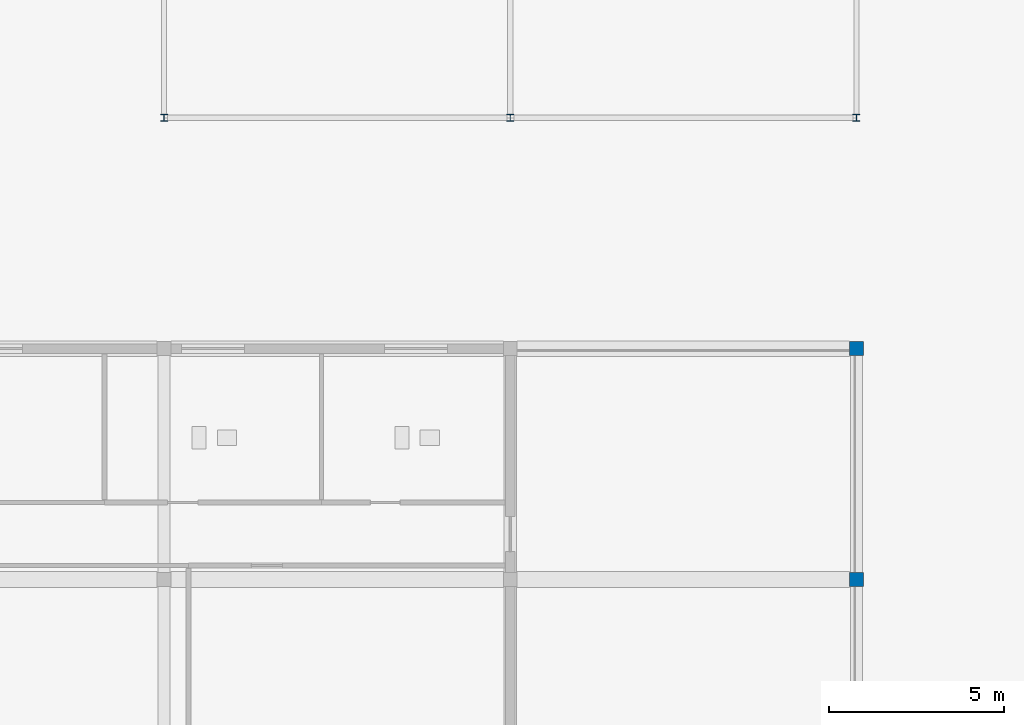
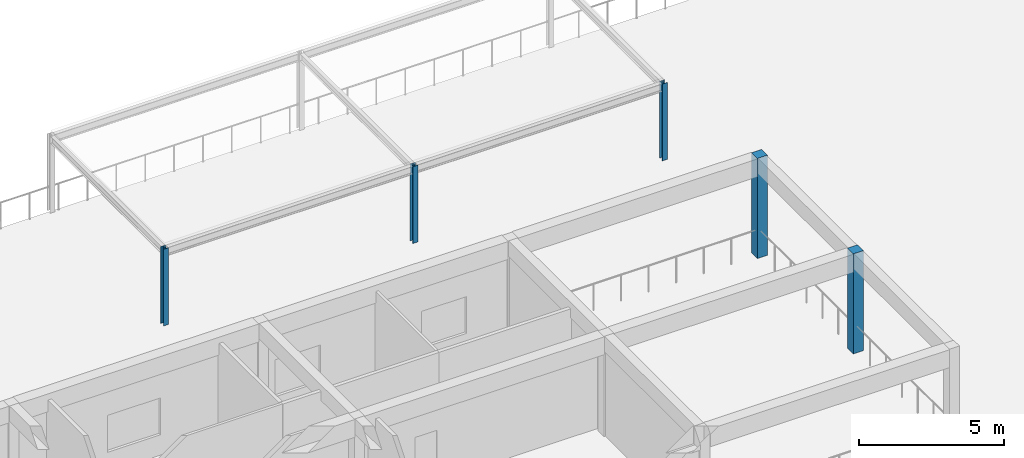
# One storey, part 7 of 92: 5 columns.
"""IFC4 building model written with IfcOpenShell, lengths in metres."""

from ifc_helpers import new_model, si_unit, direction, frame, origin, origin_2d, place, context, subcontext, project, spatial, rectangle, i_section, extrude, material, material_profile, profile_set, type_object, element, save


model = new_model("IFC4")

# Units and contexts
model_context = context("Model", 3, precision=1e-05, world=origin(), true_north=direction((0.0, 1.0)))
body_context = subcontext(model_context, "Body", "Model", "MODEL_VIEW")
ifc_project = project(units=[si_unit("LENGTHUNIT", "METRE"), si_unit("AREAUNIT", "SQUARE_METRE"), si_unit("VOLUMEUNIT", "CUBIC_METRE"), si_unit("PLANEANGLEUNIT", "RADIAN"), si_unit("MASSUNIT", "GRAM", prefix="KILO")], contexts=[model_context])

# Site, building, storey
site_placement = place(None, origin())
site = spatial("IfcSite", under=ifc_project, at=site_placement, CompositionType="ELEMENT")
building_placement = place(site_placement, origin())
building = spatial("IfcBuilding", under=site, at=building_placement, Name="Kernevlak Ridge Housing Community", CompositionType="ELEMENT")
storey_placement = place(building_placement, frame((0.0, 0.0, 4.199951171875)))
storey = spatial("IfcBuildingStorey", under=building, at=storey_placement, Name="L01", CompositionType="ELEMENT", Elevation=4.199951171875)

# Columns
ifc_material_1 = material(Name="Concrete C35/45", Category="concrete")
ifc_material_profile_1 = material_profile(ifc_material_1, rectangle(XDim=0.39990234375, YDim=0.39990234375, at=origin_2d()), Name="RC 400x400")
ifc_profile_set_1 = profile_set([ifc_material_profile_1], Name="Concrete C35/45")
column_type_1 = type_object("IfcColumnType", Name="C-05", PredefinedType="COLUMN", material=ifc_profile_set_1)
for number, where, z_axis, x_axis, name in (
    (1, (93.89990234375, 89.199951171875, 0.0), (0.0, 0.0, 1.0), (1.0, 0.0, 0.0), "Column C-05 COL-NUR-L01-172"),
    (2, (93.89990234375, 95.800048828125, 0.0), (0.0, 0.0, 1.0), (1.0, 0.0, 0.0), "Column C-05 COL-NUR-L01-173"),
):
    element("IfcColumn", number, at=place(storey_placement, frame(where, z_axis=z_axis, x_axis=x_axis)), inside=storey, type_object=column_type_1, Name=name, PredefinedType="COLUMN", context=body_context, shape_type="SweptSolid", body=[
        extrude(rectangle(XDim=0.39990234375, YDim=0.39990234375, at=origin_2d()), origin(), (0.0, 0.0, 1.0), 4.199951171875),
    ])
ifc_material_2 = material(Name="Steel S355", Category="steel")
ifc_material_profile_2 = material_profile(ifc_material_2, i_section(OverallWidth=0.199951171875, OverallDepth=0.199951171875, WebThickness=0.009033203125, FlangeThickness=0.014892578125, FilletRadius=0.01806640625, at=origin_2d()), Name="HEB 200")
ifc_profile_set_2 = profile_set([ifc_material_profile_2], Name="Steel S355")
column_type_2 = type_object("IfcColumnType", Name="SC-05", PredefinedType="COLUMN", material=ifc_profile_set_2)
for number, where, z_axis, x_axis, name in (
    (3, (74.10009765625, 102.39990234375, 0.0), (0.0, 0.0, 1.0), (1.0, 0.0, 0.0), "Column SC-05 COL-NCAN-L01-0-0"),
    (4, (84.0, 102.39990234375, 0.0), (0.0, 0.0, 1.0), (1.0, 0.0, 0.0), "Column SC-05 COL-NCAN-L01-1-0"),
    (5, (93.89990234375, 102.39990234375, 0.0), (0.0, 0.0, 1.0), (1.0, 0.0, 0.0), "Column SC-05 COL-NCAN-L01-2-0"),
):
    element("IfcColumn", number, at=place(storey_placement, frame(where, z_axis=z_axis, x_axis=x_axis)), inside=storey, type_object=column_type_2, Name=name, PredefinedType="COLUMN", context=body_context, shape_type="SweptSolid", body=[
        extrude(i_section(OverallWidth=0.199951171875, OverallDepth=0.199951171875, WebThickness=0.009033203125, FlangeThickness=0.014892578125, FilletRadius=0.01806640625, at=origin_2d()), origin(), (0.0, 0.0, 1.0), 3.219970703125),
    ])

save(model, "model.ifc")
